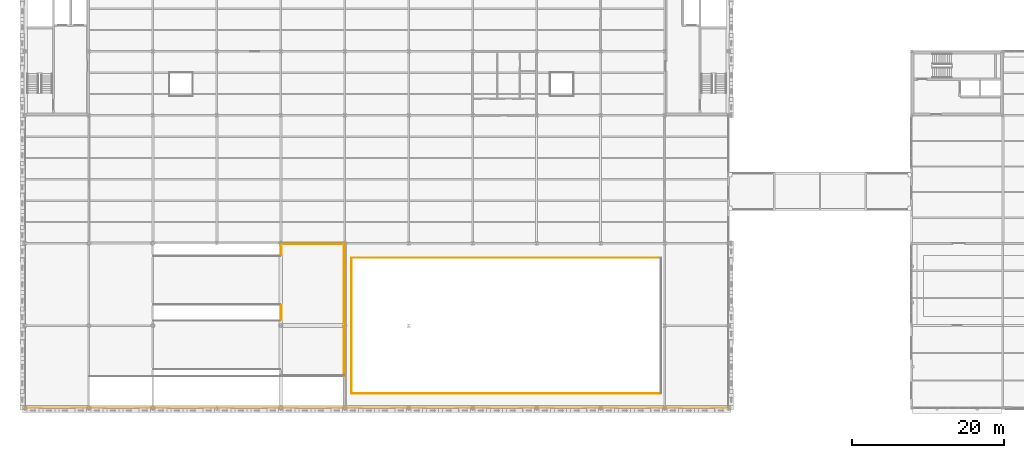
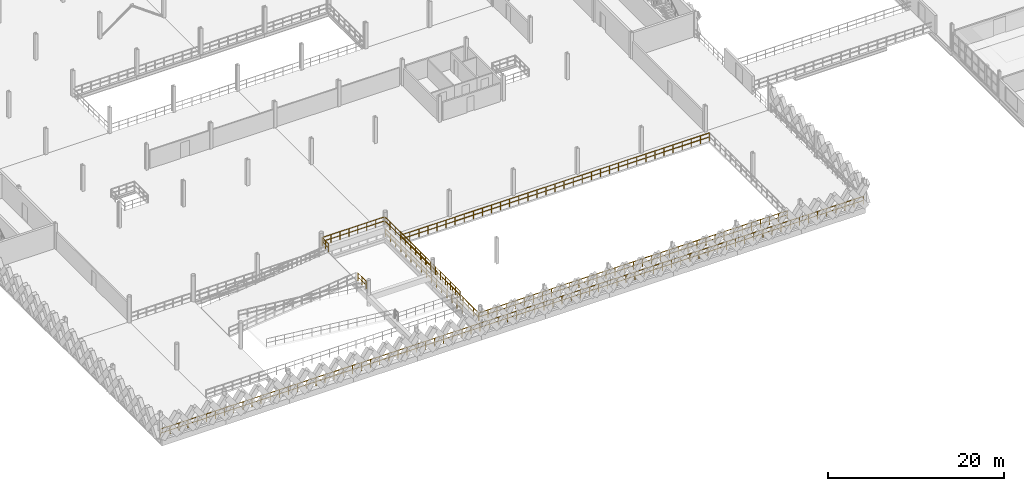
# One storey, part 92 of 101: 9 railings.
"""IFC4 building model written with IfcOpenShell, lengths in metres."""

from ifc_helpers import new_model, si_unit, direction, frame, origin, origin_2d, place, context, subcontext, project, spatial, circle, extrude, material, type_object, element, save


model = new_model("IFC4")

# Units and contexts
model_context = context("Model", 3, precision=1e-05, world=origin(), true_north=direction((0.0, 1.0)))
body_context = subcontext(model_context, "Body", "Model", "MODEL_VIEW")
ifc_project = project(units=[si_unit("LENGTHUNIT", "METRE"), si_unit("AREAUNIT", "SQUARE_METRE"), si_unit("VOLUMEUNIT", "CUBIC_METRE"), si_unit("PLANEANGLEUNIT", "RADIAN"), si_unit("MASSUNIT", "GRAM", prefix="KILO"), si_unit("THERMODYNAMICTEMPERATUREUNIT", "KELVIN"), si_unit("POWERUNIT", "WATT")], contexts=[model_context])

# Site, building, storey
site_placement = place(None, origin())
site = spatial("IfcSite", under=ifc_project, at=site_placement, CompositionType="ELEMENT")
building_placement = place(site_placement, origin())
building = spatial("IfcBuilding", under=site, at=building_placement, Name="Tembeka Court Mobility Hub", CompositionType="ELEMENT")
storey_placement = place(building_placement, frame((0.0, 0.0, 5.39990234375)))
storey = spatial("IfcBuildingStorey", under=building, at=storey_placement, Name="L01", CompositionType="ELEMENT", Elevation=5.39990234375)

# Railings
ifc_material = material(Name="Painted galvanised steel balustrade", Category="steel")
railing_type_1 = type_object("IfcRailingType", Name="RL-GR01", PredefinedType="GUARDRAIL", material=ifc_material)
railing_1_placement = place(storey_placement, frame((42.929931640625, 1.89990234375, 0.0)))
element("IfcRailing", 1, at=railing_1_placement, inside=storey, type_object=railing_type_1, Name="Perimeter guard GR01-0053", PredefinedType="GUARDRAIL", context=body_context, shape_type="SweptSolid", body=[
    extrude(circle(Radius=0.02392578125, at=origin_2d()), frame((0.0, 0.0, 1.09619140625), z_axis=(1.0, 0.0, 0.0), x_axis=(0.0, 1.0, 0.0)), (0.0, 0.0, 1.0), 40.5400390625),
    extrude(circle(Radius=0.02392578125, at=origin_2d()), frame((0.0, 0.0, 0.5361328125), z_axis=(1.0, 0.0, 0.0), x_axis=(0.0, 1.0, 0.0)), (0.0, 0.0, 1.0), 40.5400390625),
    extrude(circle(Radius=0.02099609375, at=origin_2d()), origin(), (0.0, 0.0, 1.0), 1.072021484375),
    extrude(circle(Radius=0.02099609375, at=origin_2d()), frame((1.1923828125, 0.0, 0.0)), (0.0, 0.0, 1.0), 1.072021484375),
    extrude(circle(Radius=0.02099609375, at=origin_2d()), frame((2.384765625, 0.0, 0.0)), (0.0, 0.0, 1.0), 1.072021484375),
    extrude(circle(Radius=0.02099609375, at=origin_2d()), frame((3.5771484375, 0.0, 0.0)), (0.0, 0.0, 1.0), 1.072021484375),
    extrude(circle(Radius=0.02099609375, at=origin_2d()), frame((4.76953125, 0.0, 0.0)), (0.0, 0.0, 1.0), 1.072021484375),
    extrude(circle(Radius=0.02099609375, at=origin_2d()), frame((5.961669921875, 0.0, 0.0)), (0.0, 0.0, 1.0), 1.072021484375),
    extrude(circle(Radius=0.02099609375, at=origin_2d()), frame((7.154052734375, 0.0, 0.0)), (0.0, 0.0, 1.0), 1.072021484375),
    extrude(circle(Radius=0.02099609375, at=origin_2d()), frame((8.346435546875, 0.0, 0.0)), (0.0, 0.0, 1.0), 1.072021484375),
    extrude(circle(Radius=0.02099609375, at=origin_2d()), frame((9.538818359375, 0.0, 0.0)), (0.0, 0.0, 1.0), 1.072021484375),
    extrude(circle(Radius=0.02099609375, at=origin_2d()), frame((10.731201171875, 0.0, 0.0)), (0.0, 0.0, 1.0), 1.072021484375),
    extrude(circle(Radius=0.02099609375, at=origin_2d()), frame((11.923583984375, 0.0, 0.0)), (0.0, 0.0, 1.0), 1.072021484375),
    extrude(circle(Radius=0.02099609375, at=origin_2d()), frame((13.115966796875, 0.0, 0.0)), (0.0, 0.0, 1.0), 1.072021484375),
    extrude(circle(Radius=0.02099609375, at=origin_2d()), frame((14.308349609375, 0.0, 0.0)), (0.0, 0.0, 1.0), 1.072021484375),
    extrude(circle(Radius=0.02099609375, at=origin_2d()), frame((15.50048828125, 0.0, 0.0)), (0.0, 0.0, 1.0), 1.072021484375),
    extrude(circle(Radius=0.02099609375, at=origin_2d()), frame((16.69287109375, 0.0, 0.0)), (0.0, 0.0, 1.0), 1.072021484375),
    extrude(circle(Radius=0.02099609375, at=origin_2d()), frame((17.88525390625, 0.0, 0.0)), (0.0, 0.0, 1.0), 1.072021484375),
    extrude(circle(Radius=0.02099609375, at=origin_2d()), frame((19.07763671875, 0.0, 0.0)), (0.0, 0.0, 1.0), 1.072021484375),
    extrude(circle(Radius=0.02099609375, at=origin_2d()), frame((20.27001953125, 0.0, 0.0)), (0.0, 0.0, 1.0), 1.072021484375),
    extrude(circle(Radius=0.02099609375, at=origin_2d()), frame((21.46240234375, 0.0, 0.0)), (0.0, 0.0, 1.0), 1.072021484375),
    extrude(circle(Radius=0.02099609375, at=origin_2d()), frame((22.65478515625, 0.0, 0.0)), (0.0, 0.0, 1.0), 1.072021484375),
    extrude(circle(Radius=0.02099609375, at=origin_2d()), frame((23.84716796875, 0.0, 0.0)), (0.0, 0.0, 1.0), 1.072021484375),
    extrude(circle(Radius=0.02099609375, at=origin_2d()), frame((25.03955078125, 0.0, 0.0)), (0.0, 0.0, 1.0), 1.072021484375),
    extrude(circle(Radius=0.02099609375, at=origin_2d()), frame((26.231689453125, 0.0, 0.0)), (0.0, 0.0, 1.0), 1.072021484375),
    extrude(circle(Radius=0.02099609375, at=origin_2d()), frame((27.424072265625, 0.0, 0.0)), (0.0, 0.0, 1.0), 1.072021484375),
    extrude(circle(Radius=0.02099609375, at=origin_2d()), frame((28.616455078125, 0.0, 0.0)), (0.0, 0.0, 1.0), 1.072021484375),
    extrude(circle(Radius=0.02099609375, at=origin_2d()), frame((29.808837890625, 0.0, 0.0)), (0.0, 0.0, 1.0), 1.072021484375),
    extrude(circle(Radius=0.02099609375, at=origin_2d()), frame((31.001220703125, 0.0, 0.0)), (0.0, 0.0, 1.0), 1.072021484375),
    extrude(circle(Radius=0.02099609375, at=origin_2d()), frame((32.193603515625, 0.0, 0.0)), (0.0, 0.0, 1.0), 1.072021484375),
    extrude(circle(Radius=0.02099609375, at=origin_2d()), frame((33.385986328125, 0.0, 0.0)), (0.0, 0.0, 1.0), 1.072021484375),
    extrude(circle(Radius=0.02099609375, at=origin_2d()), frame((34.578369140625, 0.0, 0.0)), (0.0, 0.0, 1.0), 1.072021484375),
    extrude(circle(Radius=0.02099609375, at=origin_2d()), frame((35.7705078125, 0.0, 0.0)), (0.0, 0.0, 1.0), 1.072021484375),
    extrude(circle(Radius=0.02099609375, at=origin_2d()), frame((36.962890625, 0.0, 0.0)), (0.0, 0.0, 1.0), 1.072021484375),
    extrude(circle(Radius=0.02099609375, at=origin_2d()), frame((38.1552734375, 0.0, 0.0)), (0.0, 0.0, 1.0), 1.072021484375),
    extrude(circle(Radius=0.02099609375, at=origin_2d()), frame((39.34765625, 0.0, 0.0)), (0.0, 0.0, 1.0), 1.072021484375),
    extrude(circle(Radius=0.02099609375, at=origin_2d()), frame((40.5400390625, 0.0, 0.0)), (0.0, 0.0, 1.0), 1.072021484375),
])
railing_2_placement = place(storey_placement, frame((83.469970703125, 19.699951171875, 0.0)))
element("IfcRailing", 2, at=railing_2_placement, inside=storey, type_object=railing_type_1, Name="Perimeter guard GR01-0055", PredefinedType="GUARDRAIL", context=body_context, shape_type="SweptSolid", body=[
    extrude(circle(Radius=0.02392578125, at=origin_2d()), frame((0.0, 0.0, 1.09619140625), z_axis=(-1.0, 0.0, 0.0), x_axis=(0.0, -1.0, 0.0)), (0.0, 0.0, 1.0), 40.5400390625),
    extrude(circle(Radius=0.02392578125, at=origin_2d()), frame((0.0, 0.0, 0.5361328125), z_axis=(-1.0, 0.0, 0.0), x_axis=(0.0, -1.0, 0.0)), (0.0, 0.0, 1.0), 40.5400390625),
    extrude(circle(Radius=0.02099609375, at=origin_2d()), origin(), (0.0, 0.0, 1.0), 1.072021484375),
    extrude(circle(Radius=0.02099609375, at=origin_2d()), frame((-1.1923828125, 0.0, 0.0)), (0.0, 0.0, 1.0), 1.072021484375),
    extrude(circle(Radius=0.02099609375, at=origin_2d()), frame((-2.384765625, 0.0, 0.0)), (0.0, 0.0, 1.0), 1.072021484375),
    extrude(circle(Radius=0.02099609375, at=origin_2d()), frame((-3.5771484375, 0.0, 0.0)), (0.0, 0.0, 1.0), 1.072021484375),
    extrude(circle(Radius=0.02099609375, at=origin_2d()), frame((-4.76953125, 0.0, 0.0)), (0.0, 0.0, 1.0), 1.072021484375),
    extrude(circle(Radius=0.02099609375, at=origin_2d()), frame((-5.961669921875, 0.0, 0.0)), (0.0, 0.0, 1.0), 1.072021484375),
    extrude(circle(Radius=0.02099609375, at=origin_2d()), frame((-7.154052734375, 0.0, 0.0)), (0.0, 0.0, 1.0), 1.072021484375),
    extrude(circle(Radius=0.02099609375, at=origin_2d()), frame((-8.346435546875, 0.0, 0.0)), (0.0, 0.0, 1.0), 1.072021484375),
    extrude(circle(Radius=0.02099609375, at=origin_2d()), frame((-9.538818359375, 0.0, 0.0)), (0.0, 0.0, 1.0), 1.072021484375),
    extrude(circle(Radius=0.02099609375, at=origin_2d()), frame((-10.731201171875, 0.0, 0.0)), (0.0, 0.0, 1.0), 1.072021484375),
    extrude(circle(Radius=0.02099609375, at=origin_2d()), frame((-11.923583984375, 0.0, 0.0)), (0.0, 0.0, 1.0), 1.072021484375),
    extrude(circle(Radius=0.02099609375, at=origin_2d()), frame((-13.115966796875, 0.0, 0.0)), (0.0, 0.0, 1.0), 1.072021484375),
    extrude(circle(Radius=0.02099609375, at=origin_2d()), frame((-14.308349609375, 0.0, 0.0)), (0.0, 0.0, 1.0), 1.072021484375),
    extrude(circle(Radius=0.02099609375, at=origin_2d()), frame((-15.50048828125, 0.0, 0.0)), (0.0, 0.0, 1.0), 1.072021484375),
    extrude(circle(Radius=0.02099609375, at=origin_2d()), frame((-16.69287109375, 0.0, 0.0)), (0.0, 0.0, 1.0), 1.072021484375),
    extrude(circle(Radius=0.02099609375, at=origin_2d()), frame((-17.88525390625, 0.0, 0.0)), (0.0, 0.0, 1.0), 1.072021484375),
    extrude(circle(Radius=0.02099609375, at=origin_2d()), frame((-19.07763671875, 0.0, 0.0)), (0.0, 0.0, 1.0), 1.072021484375),
    extrude(circle(Radius=0.02099609375, at=origin_2d()), frame((-20.27001953125, 0.0, 0.0)), (0.0, 0.0, 1.0), 1.072021484375),
    extrude(circle(Radius=0.02099609375, at=origin_2d()), frame((-21.46240234375, 0.0, 0.0)), (0.0, 0.0, 1.0), 1.072021484375),
    extrude(circle(Radius=0.02099609375, at=origin_2d()), frame((-22.65478515625, 0.0, 0.0)), (0.0, 0.0, 1.0), 1.072021484375),
    extrude(circle(Radius=0.02099609375, at=origin_2d()), frame((-23.84716796875, 0.0, 0.0)), (0.0, 0.0, 1.0), 1.072021484375),
    extrude(circle(Radius=0.02099609375, at=origin_2d()), frame((-25.03955078125, 0.0, 0.0)), (0.0, 0.0, 1.0), 1.072021484375),
    extrude(circle(Radius=0.02099609375, at=origin_2d()), frame((-26.231689453125, 0.0, 0.0)), (0.0, 0.0, 1.0), 1.072021484375),
    extrude(circle(Radius=0.02099609375, at=origin_2d()), frame((-27.424072265625, 0.0, 0.0)), (0.0, 0.0, 1.0), 1.072021484375),
    extrude(circle(Radius=0.02099609375, at=origin_2d()), frame((-28.616455078125, 0.0, 0.0)), (0.0, 0.0, 1.0), 1.072021484375),
    extrude(circle(Radius=0.02099609375, at=origin_2d()), frame((-29.808837890625, 0.0, 0.0)), (0.0, 0.0, 1.0), 1.072021484375),
    extrude(circle(Radius=0.02099609375, at=origin_2d()), frame((-31.001220703125, 0.0, 0.0)), (0.0, 0.0, 1.0), 1.072021484375),
    extrude(circle(Radius=0.02099609375, at=origin_2d()), frame((-32.193603515625, 0.0, 0.0)), (0.0, 0.0, 1.0), 1.072021484375),
    extrude(circle(Radius=0.02099609375, at=origin_2d()), frame((-33.385986328125, 0.0, 0.0)), (0.0, 0.0, 1.0), 1.072021484375),
    extrude(circle(Radius=0.02099609375, at=origin_2d()), frame((-34.578369140625, 0.0, 0.0)), (0.0, 0.0, 1.0), 1.072021484375),
    extrude(circle(Radius=0.02099609375, at=origin_2d()), frame((-35.7705078125, 0.0, 0.0)), (0.0, 0.0, 1.0), 1.072021484375),
    extrude(circle(Radius=0.02099609375, at=origin_2d()), frame((-36.962890625, 0.0, 0.0)), (0.0, 0.0, 1.0), 1.072021484375),
    extrude(circle(Radius=0.02099609375, at=origin_2d()), frame((-38.1552734375, 0.0, 0.0)), (0.0, 0.0, 1.0), 1.072021484375),
    extrude(circle(Radius=0.02099609375, at=origin_2d()), frame((-39.34765625, 0.0, 0.0)), (0.0, 0.0, 1.0), 1.072021484375),
    extrude(circle(Radius=0.02099609375, at=origin_2d()), frame((-40.5400390625, 0.0, 0.0)), (0.0, 0.0, 1.0), 1.072021484375),
])
railing_3_placement = place(storey_placement, frame((42.89990234375, 19.669921875, 0.0)))
element("IfcRailing", 3, at=railing_3_placement, inside=storey, type_object=railing_type_1, Name="Perimeter guard GR01-0056", PredefinedType="GUARDRAIL", context=body_context, shape_type="SweptSolid", body=[
    extrude(circle(Radius=0.02392578125, at=origin_2d()), frame((0.0, 0.0, 1.09619140625), z_axis=(0.0, -1.0, 0.0), x_axis=(1.0, 0.0, 0.0)), (0.0, 0.0, 1.0), 17.739990234375),
    extrude(circle(Radius=0.02392578125, at=origin_2d()), frame((0.0, 0.0, 0.5361328125), z_axis=(0.0, -1.0, 0.0), x_axis=(1.0, 0.0, 0.0)), (0.0, 0.0, 1.0), 17.739990234375),
    extrude(circle(Radius=0.02099609375, at=origin_2d()), origin(), (0.0, 0.0, 1.0), 1.072021484375),
    extrude(circle(Radius=0.02099609375, at=origin_2d()), frame((0.0, -1.1826171875, 0.0)), (0.0, 0.0, 1.0), 1.072021484375),
    extrude(circle(Radius=0.02099609375, at=origin_2d()), frame((0.0, -2.365234375, 0.0)), (0.0, 0.0, 1.0), 1.072021484375),
    extrude(circle(Radius=0.02099609375, at=origin_2d()), frame((0.0, -3.548095703125, 0.0)), (0.0, 0.0, 1.0), 1.072021484375),
    extrude(circle(Radius=0.02099609375, at=origin_2d()), frame((0.0, -4.730712890625, 0.0)), (0.0, 0.0, 1.0), 1.072021484375),
    extrude(circle(Radius=0.02099609375, at=origin_2d()), frame((0.0, -5.913330078125, 0.0)), (0.0, 0.0, 1.0), 1.072021484375),
    extrude(circle(Radius=0.02099609375, at=origin_2d()), frame((0.0, -7.095947265625, 0.0)), (0.0, 0.0, 1.0), 1.072021484375),
    extrude(circle(Radius=0.02099609375, at=origin_2d()), frame((0.0, -8.278564453125, 0.0)), (0.0, 0.0, 1.0), 1.072021484375),
    extrude(circle(Radius=0.02099609375, at=origin_2d()), frame((0.0, -9.46142578125, 0.0)), (0.0, 0.0, 1.0), 1.072021484375),
    extrude(circle(Radius=0.02099609375, at=origin_2d()), frame((0.0, -10.64404296875, 0.0)), (0.0, 0.0, 1.0), 1.072021484375),
    extrude(circle(Radius=0.02099609375, at=origin_2d()), frame((0.0, -11.82666015625, 0.0)), (0.0, 0.0, 1.0), 1.072021484375),
    extrude(circle(Radius=0.02099609375, at=origin_2d()), frame((0.0, -13.00927734375, 0.0)), (0.0, 0.0, 1.0), 1.072021484375),
    extrude(circle(Radius=0.02099609375, at=origin_2d()), frame((0.0, -14.19189453125, 0.0)), (0.0, 0.0, 1.0), 1.072021484375),
    extrude(circle(Radius=0.02099609375, at=origin_2d()), frame((0.0, -15.374755859375, 0.0)), (0.0, 0.0, 1.0), 1.072021484375),
    extrude(circle(Radius=0.02099609375, at=origin_2d()), frame((0.0, -16.557373046875, 0.0)), (0.0, 0.0, 1.0), 1.072021484375),
    extrude(circle(Radius=0.02099609375, at=origin_2d()), frame((0.0, -17.739990234375, 0.0)), (0.0, 0.0, 1.0), 1.072021484375),
])
railing_type_2 = type_object("IfcRailingType", Name="RL-GR02", PredefinedType="GUARDRAIL", material=ifc_material)
railing_4_placement = place(storey_placement, frame((0.080078125, 0.050048828125, 0.0)))
element("IfcRailing", 4, at=railing_4_placement, inside=storey, type_object=railing_type_2, Name="Perimeter guard GR02-0061", PredefinedType="GUARDRAIL", context=body_context, shape_type="SweptSolid", body=[
    extrude(circle(Radius=0.02392578125, at=origin_2d()), frame((0.0, 0.0, 1.09619140625), z_axis=(1.0, 0.0, 0.0), x_axis=(0.0, 1.0, 0.0)), (0.0, 0.0, 1.0), 92.239990234375),
    extrude(circle(Radius=0.02392578125, at=origin_2d()), frame((0.0, 0.0, 0.5361328125), z_axis=(1.0, 0.0, 0.0), x_axis=(0.0, 1.0, 0.0)), (0.0, 0.0, 1.0), 92.239990234375),
    extrude(circle(Radius=0.02099609375, at=origin_2d()), origin(), (0.0, 0.0, 1.0), 1.072021484375),
    extrude(circle(Radius=0.02099609375, at=origin_2d()), frame((1.197998046875, 0.0, 0.0)), (0.0, 0.0, 1.0), 1.072021484375),
    extrude(circle(Radius=0.02099609375, at=origin_2d()), frame((2.395751953125, 0.0, 0.0)), (0.0, 0.0, 1.0), 1.072021484375),
    extrude(circle(Radius=0.02099609375, at=origin_2d()), frame((3.59375, 0.0, 0.0)), (0.0, 0.0, 1.0), 1.072021484375),
    extrude(circle(Radius=0.02099609375, at=origin_2d()), frame((4.791748046875, 0.0, 0.0)), (0.0, 0.0, 1.0), 1.072021484375),
    extrude(circle(Radius=0.02099609375, at=origin_2d()), frame((5.989501953125, 0.0, 0.0)), (0.0, 0.0, 1.0), 1.072021484375),
    extrude(circle(Radius=0.02099609375, at=origin_2d()), frame((7.1875, 0.0, 0.0)), (0.0, 0.0, 1.0), 1.072021484375),
    extrude(circle(Radius=0.02099609375, at=origin_2d()), frame((8.385498046875, 0.0, 0.0)), (0.0, 0.0, 1.0), 1.072021484375),
    extrude(circle(Radius=0.02099609375, at=origin_2d()), frame((9.58349609375, 0.0, 0.0)), (0.0, 0.0, 1.0), 1.072021484375),
    extrude(circle(Radius=0.02099609375, at=origin_2d()), frame((10.78125, 0.0, 0.0)), (0.0, 0.0, 1.0), 1.072021484375),
    extrude(circle(Radius=0.02099609375, at=origin_2d()), frame((11.979248046875, 0.0, 0.0)), (0.0, 0.0, 1.0), 1.072021484375),
    extrude(circle(Radius=0.02099609375, at=origin_2d()), frame((13.17724609375, 0.0, 0.0)), (0.0, 0.0, 1.0), 1.072021484375),
    extrude(circle(Radius=0.02099609375, at=origin_2d()), frame((14.375, 0.0, 0.0)), (0.0, 0.0, 1.0), 1.072021484375),
    extrude(circle(Radius=0.02099609375, at=origin_2d()), frame((15.572998046875, 0.0, 0.0)), (0.0, 0.0, 1.0), 1.072021484375),
    extrude(circle(Radius=0.02099609375, at=origin_2d()), frame((16.77099609375, 0.0, 0.0)), (0.0, 0.0, 1.0), 1.072021484375),
    extrude(circle(Radius=0.02099609375, at=origin_2d()), frame((17.96875, 0.0, 0.0)), (0.0, 0.0, 1.0), 1.072021484375),
    extrude(circle(Radius=0.02099609375, at=origin_2d()), frame((19.166748046875, 0.0, 0.0)), (0.0, 0.0, 1.0), 1.072021484375),
    extrude(circle(Radius=0.02099609375, at=origin_2d()), frame((20.36474609375, 0.0, 0.0)), (0.0, 0.0, 1.0), 1.072021484375),
    extrude(circle(Radius=0.02099609375, at=origin_2d()), frame((21.5625, 0.0, 0.0)), (0.0, 0.0, 1.0), 1.072021484375),
    extrude(circle(Radius=0.02099609375, at=origin_2d()), frame((22.760498046875, 0.0, 0.0)), (0.0, 0.0, 1.0), 1.072021484375),
    extrude(circle(Radius=0.02099609375, at=origin_2d()), frame((23.95849609375, 0.0, 0.0)), (0.0, 0.0, 1.0), 1.072021484375),
    extrude(circle(Radius=0.02099609375, at=origin_2d()), frame((25.15625, 0.0, 0.0)), (0.0, 0.0, 1.0), 1.072021484375),
    extrude(circle(Radius=0.02099609375, at=origin_2d()), frame((26.354248046875, 0.0, 0.0)), (0.0, 0.0, 1.0), 1.072021484375),
    extrude(circle(Radius=0.02099609375, at=origin_2d()), frame((27.55224609375, 0.0, 0.0)), (0.0, 0.0, 1.0), 1.072021484375),
    extrude(circle(Radius=0.02099609375, at=origin_2d()), frame((28.750244140625, 0.0, 0.0)), (0.0, 0.0, 1.0), 1.072021484375),
    extrude(circle(Radius=0.02099609375, at=origin_2d()), frame((29.947998046875, 0.0, 0.0)), (0.0, 0.0, 1.0), 1.072021484375),
    extrude(circle(Radius=0.02099609375, at=origin_2d()), frame((31.14599609375, 0.0, 0.0)), (0.0, 0.0, 1.0), 1.072021484375),
    extrude(circle(Radius=0.02099609375, at=origin_2d()), frame((32.343994140625, 0.0, 0.0)), (0.0, 0.0, 1.0), 1.072021484375),
    extrude(circle(Radius=0.02099609375, at=origin_2d()), frame((33.541748046875, 0.0, 0.0)), (0.0, 0.0, 1.0), 1.072021484375),
    extrude(circle(Radius=0.02099609375, at=origin_2d()), frame((34.73974609375, 0.0, 0.0)), (0.0, 0.0, 1.0), 1.072021484375),
    extrude(circle(Radius=0.02099609375, at=origin_2d()), frame((35.937744140625, 0.0, 0.0)), (0.0, 0.0, 1.0), 1.072021484375),
    extrude(circle(Radius=0.02099609375, at=origin_2d()), frame((37.135498046875, 0.0, 0.0)), (0.0, 0.0, 1.0), 1.072021484375),
    extrude(circle(Radius=0.02099609375, at=origin_2d()), frame((38.33349609375, 0.0, 0.0)), (0.0, 0.0, 1.0), 1.072021484375),
    extrude(circle(Radius=0.02099609375, at=origin_2d()), frame((39.531494140625, 0.0, 0.0)), (0.0, 0.0, 1.0), 1.072021484375),
    extrude(circle(Radius=0.02099609375, at=origin_2d()), frame((40.729248046875, 0.0, 0.0)), (0.0, 0.0, 1.0), 1.072021484375),
    extrude(circle(Radius=0.02099609375, at=origin_2d()), frame((41.92724609375, 0.0, 0.0)), (0.0, 0.0, 1.0), 1.072021484375),
    extrude(circle(Radius=0.02099609375, at=origin_2d()), frame((43.125244140625, 0.0, 0.0)), (0.0, 0.0, 1.0), 1.072021484375),
    extrude(circle(Radius=0.02099609375, at=origin_2d()), frame((44.322998046875, 0.0, 0.0)), (0.0, 0.0, 1.0), 1.072021484375),
    extrude(circle(Radius=0.02099609375, at=origin_2d()), frame((45.52099609375, 0.0, 0.0)), (0.0, 0.0, 1.0), 1.072021484375),
    extrude(circle(Radius=0.02099609375, at=origin_2d()), frame((46.718994140625, 0.0, 0.0)), (0.0, 0.0, 1.0), 1.072021484375),
    extrude(circle(Radius=0.02099609375, at=origin_2d()), frame((47.9169921875, 0.0, 0.0)), (0.0, 0.0, 1.0), 1.072021484375),
    extrude(circle(Radius=0.02099609375, at=origin_2d()), frame((49.11474609375, 0.0, 0.0)), (0.0, 0.0, 1.0), 1.072021484375),
    extrude(circle(Radius=0.02099609375, at=origin_2d()), frame((50.312744140625, 0.0, 0.0)), (0.0, 0.0, 1.0), 1.072021484375),
    extrude(circle(Radius=0.02099609375, at=origin_2d()), frame((51.5107421875, 0.0, 0.0)), (0.0, 0.0, 1.0), 1.072021484375),
    extrude(circle(Radius=0.02099609375, at=origin_2d()), frame((52.70849609375, 0.0, 0.0)), (0.0, 0.0, 1.0), 1.072021484375),
    extrude(circle(Radius=0.02099609375, at=origin_2d()), frame((53.906494140625, 0.0, 0.0)), (0.0, 0.0, 1.0), 1.072021484375),
    extrude(circle(Radius=0.02099609375, at=origin_2d()), frame((55.1044921875, 0.0, 0.0)), (0.0, 0.0, 1.0), 1.072021484375),
    extrude(circle(Radius=0.02099609375, at=origin_2d()), frame((56.30224609375, 0.0, 0.0)), (0.0, 0.0, 1.0), 1.072021484375),
    extrude(circle(Radius=0.02099609375, at=origin_2d()), frame((57.500244140625, 0.0, 0.0)), (0.0, 0.0, 1.0), 1.072021484375),
    extrude(circle(Radius=0.02099609375, at=origin_2d()), frame((58.6982421875, 0.0, 0.0)), (0.0, 0.0, 1.0), 1.072021484375),
    extrude(circle(Radius=0.02099609375, at=origin_2d()), frame((59.89599609375, 0.0, 0.0)), (0.0, 0.0, 1.0), 1.072021484375),
    extrude(circle(Radius=0.02099609375, at=origin_2d()), frame((61.093994140625, 0.0, 0.0)), (0.0, 0.0, 1.0), 1.072021484375),
    extrude(circle(Radius=0.02099609375, at=origin_2d()), frame((62.2919921875, 0.0, 0.0)), (0.0, 0.0, 1.0), 1.072021484375),
    extrude(circle(Radius=0.02099609375, at=origin_2d()), frame((63.48974609375, 0.0, 0.0)), (0.0, 0.0, 1.0), 1.072021484375),
    extrude(circle(Radius=0.02099609375, at=origin_2d()), frame((64.687744140625, 0.0, 0.0)), (0.0, 0.0, 1.0), 1.072021484375),
    extrude(circle(Radius=0.02099609375, at=origin_2d()), frame((65.8857421875, 0.0, 0.0)), (0.0, 0.0, 1.0), 1.072021484375),
    extrude(circle(Radius=0.02099609375, at=origin_2d()), frame((67.083740234375, 0.0, 0.0)), (0.0, 0.0, 1.0), 1.072021484375),
    extrude(circle(Radius=0.02099609375, at=origin_2d()), frame((68.281494140625, 0.0, 0.0)), (0.0, 0.0, 1.0), 1.072021484375),
    extrude(circle(Radius=0.02099609375, at=origin_2d()), frame((69.4794921875, 0.0, 0.0)), (0.0, 0.0, 1.0), 1.072021484375),
    extrude(circle(Radius=0.02099609375, at=origin_2d()), frame((70.677490234375, 0.0, 0.0)), (0.0, 0.0, 1.0), 1.072021484375),
    extrude(circle(Radius=0.02099609375, at=origin_2d()), frame((71.875244140625, 0.0, 0.0)), (0.0, 0.0, 1.0), 1.072021484375),
    extrude(circle(Radius=0.02099609375, at=origin_2d()), frame((73.0732421875, 0.0, 0.0)), (0.0, 0.0, 1.0), 1.072021484375),
    extrude(circle(Radius=0.02099609375, at=origin_2d()), frame((74.271240234375, 0.0, 0.0)), (0.0, 0.0, 1.0), 1.072021484375),
    extrude(circle(Radius=0.02099609375, at=origin_2d()), frame((75.468994140625, 0.0, 0.0)), (0.0, 0.0, 1.0), 1.072021484375),
    extrude(circle(Radius=0.02099609375, at=origin_2d()), frame((76.6669921875, 0.0, 0.0)), (0.0, 0.0, 1.0), 1.072021484375),
    extrude(circle(Radius=0.02099609375, at=origin_2d()), frame((77.864990234375, 0.0, 0.0)), (0.0, 0.0, 1.0), 1.072021484375),
    extrude(circle(Radius=0.02099609375, at=origin_2d()), frame((79.062744140625, 0.0, 0.0)), (0.0, 0.0, 1.0), 1.072021484375),
    extrude(circle(Radius=0.02099609375, at=origin_2d()), frame((80.2607421875, 0.0, 0.0)), (0.0, 0.0, 1.0), 1.072021484375),
    extrude(circle(Radius=0.02099609375, at=origin_2d()), frame((81.458740234375, 0.0, 0.0)), (0.0, 0.0, 1.0), 1.072021484375),
    extrude(circle(Radius=0.02099609375, at=origin_2d()), frame((82.656494140625, 0.0, 0.0)), (0.0, 0.0, 1.0), 1.072021484375),
    extrude(circle(Radius=0.02099609375, at=origin_2d()), frame((83.8544921875, 0.0, 0.0)), (0.0, 0.0, 1.0), 1.072021484375),
    extrude(circle(Radius=0.02099609375, at=origin_2d()), frame((85.052490234375, 0.0, 0.0)), (0.0, 0.0, 1.0), 1.072021484375),
    extrude(circle(Radius=0.02099609375, at=origin_2d()), frame((86.25048828125, 0.0, 0.0)), (0.0, 0.0, 1.0), 1.072021484375),
    extrude(circle(Radius=0.02099609375, at=origin_2d()), frame((87.4482421875, 0.0, 0.0)), (0.0, 0.0, 1.0), 1.072021484375),
    extrude(circle(Radius=0.02099609375, at=origin_2d()), frame((88.646240234375, 0.0, 0.0)), (0.0, 0.0, 1.0), 1.072021484375),
    extrude(circle(Radius=0.02099609375, at=origin_2d()), frame((89.84423828125, 0.0, 0.0)), (0.0, 0.0, 1.0), 1.072021484375),
    extrude(circle(Radius=0.02099609375, at=origin_2d()), frame((91.0419921875, 0.0, 0.0)), (0.0, 0.0, 1.0), 1.072021484375),
    extrude(circle(Radius=0.02099609375, at=origin_2d()), frame((92.239990234375, 0.0, 0.0)), (0.0, 0.0, 1.0), 1.072021484375),
])
railing_5_placement = place(storey_placement, frame((42.050048828125, 4.179931640625, 0.0)))
element("IfcRailing", 5, at=railing_5_placement, inside=storey, type_object=railing_type_2, Name="Perimeter guard GR02-0264", PredefinedType="GUARDRAIL", context=body_context, shape_type="SweptSolid", body=[
    extrude(circle(Radius=0.02392578125, at=origin_2d()), frame((0.0, 0.0, 1.09619140625), z_axis=(0.0, 1.0, 0.0), x_axis=(-1.0, 0.0, 0.0)), (0.0, 0.0, 1.0), 17.440185546875),
    extrude(circle(Radius=0.02392578125, at=origin_2d()), frame((0.0, 0.0, 0.5361328125), z_axis=(0.0, 1.0, 0.0), x_axis=(-1.0, 0.0, 0.0)), (0.0, 0.0, 1.0), 17.440185546875),
    extrude(circle(Radius=0.02099609375, at=origin_2d()), origin(), (0.0, 0.0, 1.0), 1.072021484375),
    extrude(circle(Radius=0.02099609375, at=origin_2d()), frame((0.0, 1.16259765625, 0.0)), (0.0, 0.0, 1.0), 1.072021484375),
    extrude(circle(Radius=0.02099609375, at=origin_2d()), frame((0.0, 2.325439453125, 0.0)), (0.0, 0.0, 1.0), 1.072021484375),
    extrude(circle(Radius=0.02099609375, at=origin_2d()), frame((0.0, 3.488037109375, 0.0)), (0.0, 0.0, 1.0), 1.072021484375),
    extrude(circle(Radius=0.02099609375, at=origin_2d()), frame((0.0, 4.650634765625, 0.0)), (0.0, 0.0, 1.0), 1.072021484375),
    extrude(circle(Radius=0.02099609375, at=origin_2d()), frame((0.0, 5.8134765625, 0.0)), (0.0, 0.0, 1.0), 1.072021484375),
    extrude(circle(Radius=0.02099609375, at=origin_2d()), frame((0.0, 6.97607421875, 0.0)), (0.0, 0.0, 1.0), 1.072021484375),
    extrude(circle(Radius=0.02099609375, at=origin_2d()), frame((0.0, 8.138671875, 0.0)), (0.0, 0.0, 1.0), 1.072021484375),
    extrude(circle(Radius=0.02099609375, at=origin_2d()), frame((0.0, 9.301513671875, 0.0)), (0.0, 0.0, 1.0), 1.072021484375),
    extrude(circle(Radius=0.02099609375, at=origin_2d()), frame((0.0, 10.464111328125, 0.0)), (0.0, 0.0, 1.0), 1.072021484375),
    extrude(circle(Radius=0.02099609375, at=origin_2d()), frame((0.0, 11.626708984375, 0.0)), (0.0, 0.0, 1.0), 1.072021484375),
    extrude(circle(Radius=0.02099609375, at=origin_2d()), frame((0.0, 12.78955078125, 0.0)), (0.0, 0.0, 1.0), 1.072021484375),
    extrude(circle(Radius=0.02099609375, at=origin_2d()), frame((0.0, 13.9521484375, 0.0)), (0.0, 0.0, 1.0), 1.072021484375),
    extrude(circle(Radius=0.02099609375, at=origin_2d()), frame((0.0, 15.11474609375, 0.0)), (0.0, 0.0, 1.0), 1.072021484375),
    extrude(circle(Radius=0.02099609375, at=origin_2d()), frame((0.0, 16.277587890625, 0.0)), (0.0, 0.0, 1.0), 1.072021484375),
    extrude(circle(Radius=0.02099609375, at=origin_2d()), frame((0.0, 17.440185546875, 0.0)), (0.0, 0.0, 1.0), 1.072021484375),
])
railing_6_placement = place(storey_placement, frame((41.919921875, 4.31005859375, 1.800048828125)))
element("IfcRailing", 6, at=railing_6_placement, inside=storey, type_object=railing_type_2, Name="Perimeter guard GR02-0302", PredefinedType="GUARDRAIL", context=body_context, shape_type="SweptSolid", body=[
    extrude(circle(Radius=0.02392578125, at=origin_2d()), frame((0.0, 0.0, 1.09619140625), z_axis=(0.0, 1.0, 0.0), x_axis=(-1.0, 0.0, 0.0)), (0.0, 0.0, 1.0), 17.179931640625),
    extrude(circle(Radius=0.02392578125, at=origin_2d()), frame((0.0, 0.0, 0.5361328125), z_axis=(0.0, 1.0, 0.0), x_axis=(-1.0, 0.0, 0.0)), (0.0, 0.0, 1.0), 17.179931640625),
    extrude(circle(Radius=0.02099609375, at=origin_2d()), origin(), (0.0, 0.0, 1.0), 1.072021484375),
    extrude(circle(Radius=0.02099609375, at=origin_2d()), frame((0.0, 1.145263671875, 0.0)), (0.0, 0.0, 1.0), 1.072021484375),
    extrude(circle(Radius=0.02099609375, at=origin_2d()), frame((0.0, 2.290771484375, 0.0)), (0.0, 0.0, 1.0), 1.072021484375),
    extrude(circle(Radius=0.02099609375, at=origin_2d()), frame((0.0, 3.43603515625, 0.0)), (0.0, 0.0, 1.0), 1.072021484375),
    extrude(circle(Radius=0.02099609375, at=origin_2d()), frame((0.0, 4.581298828125, 0.0)), (0.0, 0.0, 1.0), 1.072021484375),
    extrude(circle(Radius=0.02099609375, at=origin_2d()), frame((0.0, 5.7265625, 0.0)), (0.0, 0.0, 1.0), 1.072021484375),
    extrude(circle(Radius=0.02099609375, at=origin_2d()), frame((0.0, 6.8720703125, 0.0)), (0.0, 0.0, 1.0), 1.072021484375),
    extrude(circle(Radius=0.02099609375, at=origin_2d()), frame((0.0, 8.017333984375, 0.0)), (0.0, 0.0, 1.0), 1.072021484375),
    extrude(circle(Radius=0.02099609375, at=origin_2d()), frame((0.0, 9.16259765625, 0.0)), (0.0, 0.0, 1.0), 1.072021484375),
    extrude(circle(Radius=0.02099609375, at=origin_2d()), frame((0.0, 10.307861328125, 0.0)), (0.0, 0.0, 1.0), 1.072021484375),
    extrude(circle(Radius=0.02099609375, at=origin_2d()), frame((0.0, 11.453369140625, 0.0)), (0.0, 0.0, 1.0), 1.072021484375),
    extrude(circle(Radius=0.02099609375, at=origin_2d()), frame((0.0, 12.5986328125, 0.0)), (0.0, 0.0, 1.0), 1.072021484375),
    extrude(circle(Radius=0.02099609375, at=origin_2d()), frame((0.0, 13.743896484375, 0.0)), (0.0, 0.0, 1.0), 1.072021484375),
    extrude(circle(Radius=0.02099609375, at=origin_2d()), frame((0.0, 14.88916015625, 0.0)), (0.0, 0.0, 1.0), 1.072021484375),
    extrude(circle(Radius=0.02099609375, at=origin_2d()), frame((0.0, 16.03466796875, 0.0)), (0.0, 0.0, 1.0), 1.072021484375),
    extrude(circle(Radius=0.02099609375, at=origin_2d()), frame((0.0, 17.179931640625, 0.0)), (0.0, 0.0, 1.0), 1.072021484375),
])
railing_7_placement = place(storey_placement, frame((41.889892578125, 21.52001953125, 1.800048828125)))
element("IfcRailing", 7, at=railing_7_placement, inside=storey, type_object=railing_type_2, Name="Perimeter guard GR02-0303", PredefinedType="GUARDRAIL", context=body_context, shape_type="SweptSolid", body=[
    extrude(circle(Radius=0.02392578125, at=origin_2d()), frame((0.0, 0.0, 1.09619140625), z_axis=(-1.0, 0.0, 0.0), x_axis=(0.0, -1.0, 0.0)), (0.0, 0.0, 1.0), 8.260009765625),
    extrude(circle(Radius=0.02392578125, at=origin_2d()), frame((0.0, 0.0, 0.5361328125), z_axis=(-1.0, 0.0, 0.0), x_axis=(0.0, -1.0, 0.0)), (0.0, 0.0, 1.0), 8.260009765625),
    extrude(circle(Radius=0.02099609375, at=origin_2d()), origin(), (0.0, 0.0, 1.0), 1.072021484375),
    extrude(circle(Radius=0.02099609375, at=origin_2d()), frame((-1.179931640625, 0.0, 0.0)), (0.0, 0.0, 1.0), 1.072021484375),
    extrude(circle(Radius=0.02099609375, at=origin_2d()), frame((-2.360107421875, 0.0, 0.0)), (0.0, 0.0, 1.0), 1.072021484375),
    extrude(circle(Radius=0.02099609375, at=origin_2d()), frame((-3.5400390625, 0.0, 0.0)), (0.0, 0.0, 1.0), 1.072021484375),
    extrude(circle(Radius=0.02099609375, at=origin_2d()), frame((-4.719970703125, 0.0, 0.0)), (0.0, 0.0, 1.0), 1.072021484375),
    extrude(circle(Radius=0.02099609375, at=origin_2d()), frame((-5.89990234375, 0.0, 0.0)), (0.0, 0.0, 1.0), 1.072021484375),
    extrude(circle(Radius=0.02099609375, at=origin_2d()), frame((-7.080078125, 0.0, 0.0)), (0.0, 0.0, 1.0), 1.072021484375),
    extrude(circle(Radius=0.02099609375, at=origin_2d()), frame((-8.260009765625, 0.0, 0.0)), (0.0, 0.0, 1.0), 1.072021484375),
])
railing_8_placement = place(storey_placement, frame((33.679931640625, 11.580078125, 1.800048828125)))
element("IfcRailing", 8, at=railing_8_placement, inside=storey, type_object=railing_type_2, Name="Perimeter guard GR02-0305", PredefinedType="GUARDRAIL", context=body_context, shape_type="SweptSolid", body=[
    extrude(circle(Radius=0.02392578125, at=origin_2d()), frame((0.0, 0.0, 1.09619140625), z_axis=(0.0, 1.0, 0.0), x_axis=(-1.0, 0.0, 0.0)), (0.0, 0.0, 1.0), 1.83984375),
    extrude(circle(Radius=0.02392578125, at=origin_2d()), frame((0.0, 0.0, 0.5361328125), z_axis=(0.0, 1.0, 0.0), x_axis=(-1.0, 0.0, 0.0)), (0.0, 0.0, 1.0), 1.83984375),
    extrude(circle(Radius=0.02099609375, at=origin_2d()), origin(), (0.0, 0.0, 1.0), 1.072021484375),
    extrude(circle(Radius=0.02099609375, at=origin_2d()), frame((0.0, 0.919921875, 0.0)), (0.0, 0.0, 1.0), 1.072021484375),
    extrude(circle(Radius=0.02099609375, at=origin_2d()), frame((0.0, 1.83984375, 0.0)), (0.0, 0.0, 1.0), 1.072021484375),
])
railing_9_placement = place(storey_placement, frame((33.679931640625, 20.080078125, 1.800048828125)))
element("IfcRailing", 9, at=railing_9_placement, inside=storey, type_object=railing_type_2, Name="Perimeter guard GR02-0306", PredefinedType="GUARDRAIL", context=body_context, shape_type="SweptSolid", body=[
    extrude(circle(Radius=0.02392578125, at=origin_2d()), frame((0.0, 0.0, 1.09619140625), z_axis=(0.0, 1.0, 0.0), x_axis=(-1.0, 0.0, 0.0)), (0.0, 0.0, 1.0), 1.409912109375),
    extrude(circle(Radius=0.02392578125, at=origin_2d()), frame((0.0, 0.0, 0.5361328125), z_axis=(0.0, 1.0, 0.0), x_axis=(-1.0, 0.0, 0.0)), (0.0, 0.0, 1.0), 1.409912109375),
    extrude(circle(Radius=0.02099609375, at=origin_2d()), origin(), (0.0, 0.0, 1.0), 1.072021484375),
    extrude(circle(Radius=0.02099609375, at=origin_2d()), frame((0.0, 0.705078125, 0.0)), (0.0, 0.0, 1.0), 1.072021484375),
    extrude(circle(Radius=0.02099609375, at=origin_2d()), frame((0.0, 1.409912109375, 0.0)), (0.0, 0.0, 1.0), 1.072021484375),
])

save(model, "model.ifc")
